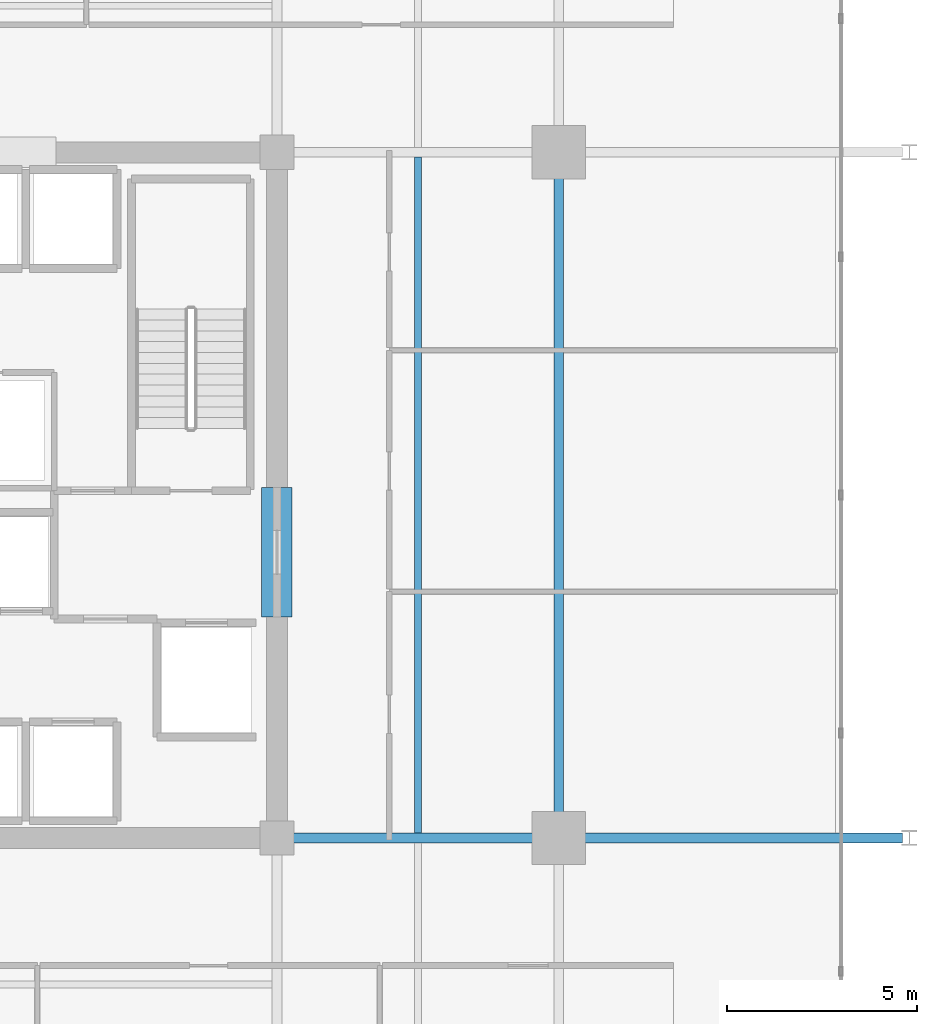
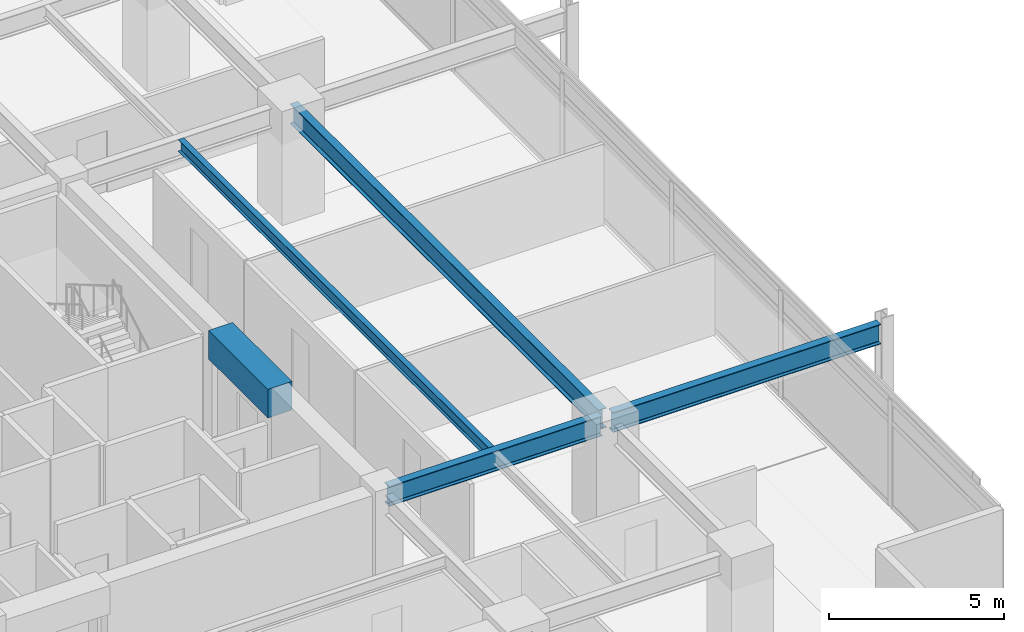
# One storey, part 3 of 22: 5 beams.
"""IFC4 building model written with IfcOpenShell, lengths in metres."""

from ifc_helpers import new_model, si_unit, direction, frame, origin, origin_2d, place, context, subcontext, project, spatial, rectangle, i_section, extrude, material, material_profile, profile_set, type_object, element, save


model = new_model("IFC4")

# Units and contexts
model_context = context("Model", 3, precision=1e-05, world=origin(), true_north=direction((0.0, 1.0)))
body_context = subcontext(model_context, "Body", "Model", "MODEL_VIEW")
ifc_project = project(units=[si_unit("LENGTHUNIT", "METRE"), si_unit("AREAUNIT", "SQUARE_METRE"), si_unit("VOLUMEUNIT", "CUBIC_METRE"), si_unit("PLANEANGLEUNIT", "RADIAN"), si_unit("MASSUNIT", "GRAM", prefix="KILO")], contexts=[model_context])

# Site, building, storey
site_placement = place(None, origin())
site = spatial("IfcSite", under=ifc_project, at=site_placement, CompositionType="ELEMENT")
building_placement = place(site_placement, origin())
building = spatial("IfcBuilding", under=site, at=building_placement, Name="Kovane Verandah Tower", CompositionType="ELEMENT")
storey_placement = place(building_placement, frame((0.0, 0.0, 225.199951171875)))
storey = spatial("IfcBuildingStorey", under=building, at=storey_placement, Name="L52", CompositionType="ELEMENT", Elevation=225.199951171875)

# Beams
ifc_material_1 = material(Name="Concrete C60/75", Category="concrete")
ifc_material_profile_1 = material_profile(ifc_material_1, rectangle(XDim=0.800048828125, YDim=1.0, at=origin_2d()), Name="RCB800x1000")
ifc_profile_set_1 = profile_set([ifc_material_profile_1], Name="Concrete C60/75")
beam_type_1 = type_object("IfcBeamType", Name="BM-LINTEL-800x1000", PredefinedType="LINTEL", material=ifc_profile_set_1)
beam_1_placement = place(storey_placement, frame((51.0, 24.300048828125, 3.275146484375), z_axis=(0.0, 1.0, 0.0), x_axis=(-1.0, 0.0, 0.0)))
element("IfcBeam", 1, at=beam_1_placement, inside=storey, type_object=beam_type_1, Name="L52 Core Coupling Lintel CL-E", PredefinedType="LINTEL", context=body_context, shape_type="SweptSolid", body=[
    extrude(rectangle(XDim=0.800048828125, YDim=1.0, at=origin_2d()), origin(), (0.0, 0.0, 1.0), 3.39990234375),
])
ifc_material_2 = material(Name="Steel S355", Category="steel")
ifc_material_profile_2 = material_profile(ifc_material_2, i_section(OverallWidth=0.255859375, OverallDepth=0.69287109375, WebThickness=0.014404296875, FlangeThickness=0.023681640625, FilletRadius=0.01513671875, at=origin_2d()), Name="UB686x254x170")
ifc_profile_set_2 = profile_set([ifc_material_profile_2], Name="Steel S355")
beam_type_2 = type_object("IfcBeamType", Name="BM-UB686x170", PredefinedType="BEAM", material=ifc_profile_set_2)
beam_2_placement = place(storey_placement, frame((58.39990234375, 18.679931640625, 3.428466796875), z_axis=(0.0, 1.0, 0.0), x_axis=(-1.0, 0.0, 0.0)))
element("IfcBeam", 2, at=beam_2_placement, inside=storey, type_object=beam_type_2, Name="L52 Primary Tower Girder G-RE2", PredefinedType="BEAM", context=body_context, shape_type="SweptSolid", body=[
    extrude(i_section(OverallWidth=0.255859375, OverallDepth=0.69287109375, WebThickness=0.014404296875, FlangeThickness=0.023681640625, FilletRadius=0.01513671875, at=origin_2d()), origin(), (0.0, 0.0, 1.0), 17.64013671875),
])
beam_3_placement = place(storey_placement, frame((51.179931640625, 18.5, 3.428466796875), z_axis=(1.0, 0.0, 0.0), x_axis=(0.0, 1.0, 0.0)))
element("IfcBeam", 3, at=beam_3_placement, inside=storey, type_object=beam_type_2, Name="L52 Primary Tower Girder G-E1", PredefinedType="BEAM", context=body_context, shape_type="SweptSolid", body=[
    extrude(i_section(OverallWidth=0.255859375, OverallDepth=0.69287109375, WebThickness=0.014404296875, FlangeThickness=0.023681640625, FilletRadius=0.01513671875, at=origin_2d()), origin(), (0.0, 0.0, 1.0), 7.0400390625),
])
beam_4_placement = place(storey_placement, frame((58.580078125, 18.5, 3.41357421875), z_axis=(1.0, 0.0, 0.0), x_axis=(0.0, 1.0, 0.0)))
element("IfcBeam", 4, at=beam_4_placement, inside=storey, type_object=beam_type_2, Name="L52 Primary Tower Girder G-VE1", PredefinedType="BEAM", context=body_context, shape_type="SweptSolid", body=[
    extrude(i_section(OverallWidth=0.255859375, OverallDepth=0.69287109375, WebThickness=0.014404296875, FlangeThickness=0.023681640625, FilletRadius=0.01513671875, at=origin_2d()), origin(), (0.0, 0.0, 1.0), 8.83984375),
])
ifc_material_profile_3 = material_profile(ifc_material_2, i_section(OverallWidth=0.179443359375, OverallDepth=0.412841796875, WebThickness=0.009521484375, FlangeThickness=0.01611328125, FilletRadius=0.01025390625, at=origin_2d()), Name="UB406x178x74")
ifc_profile_set_3 = profile_set([ifc_material_profile_3], Name="Steel S355")
beam_type_3 = type_object("IfcBeamType", Name="JST-UB406x74", PredefinedType="JOIST", material=ifc_profile_set_3)
beam_5_placement = place(storey_placement, frame((54.699951171875, 18.6259765625, 3.568603515625), z_axis=(0.0, 1.0, 0.0), x_axis=(-1.0, 0.0, 0.0)))
element("IfcBeam", 5, at=beam_5_placement, inside=storey, type_object=beam_type_3, Name="L52 Secondary Composite Joist J-E1", PredefinedType="JOIST", context=body_context, shape_type="SweptSolid", body=[
    extrude(i_section(OverallWidth=0.179443359375, OverallDepth=0.412841796875, WebThickness=0.009521484375, FlangeThickness=0.01611328125, FilletRadius=0.01025390625, at=origin_2d()), origin(), (0.0, 0.0, 1.0), 17.748046875),
])

save(model, "model.ifc")
